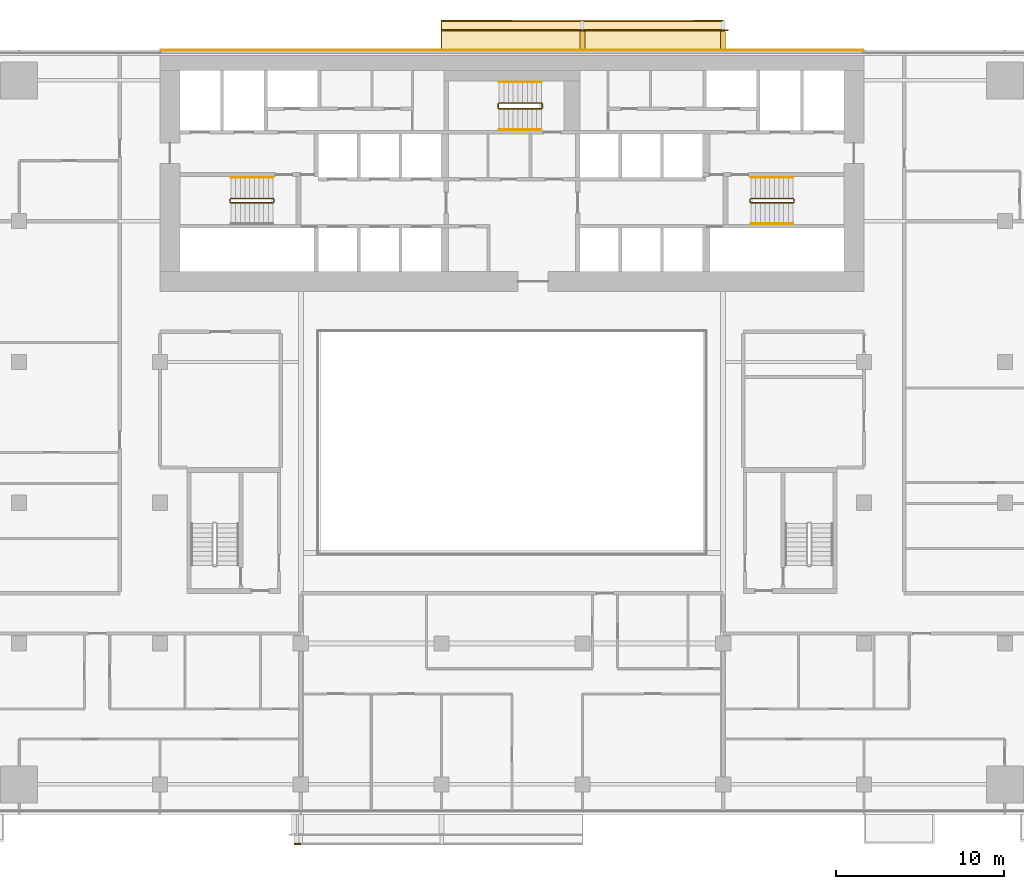
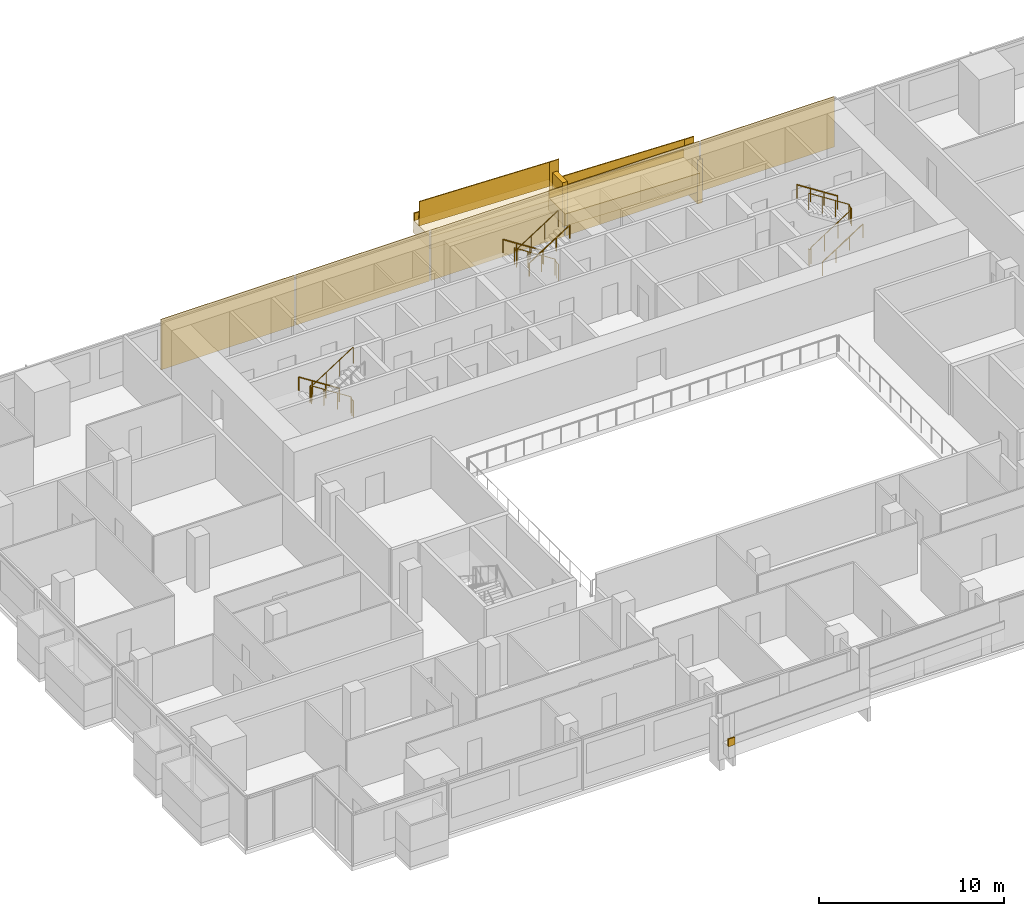
# One storey, part 27 of 27: 12 coverings, 12 railings.
"""IFC4 building model written with IfcOpenShell, lengths in metres."""

from ifc_helpers import new_model, si_unit, direction, frame, origin, origin_2d, place, context, subcontext, project, spatial, polyline, rectangle, circle, outline, extrude, material, layer, layer_set, type_object, element, save


model = new_model("IFC4")

# Units and contexts
model_context = context("Model", 3, precision=1e-05, world=origin(), true_north=direction((0.0, 1.0)))
body_context = subcontext(model_context, "Body", "Model", "MODEL_VIEW")
ifc_project = project(units=[si_unit("LENGTHUNIT", "METRE"), si_unit("AREAUNIT", "SQUARE_METRE"), si_unit("VOLUMEUNIT", "CUBIC_METRE"), si_unit("PLANEANGLEUNIT", "RADIAN"), si_unit("MASSUNIT", "GRAM", prefix="KILO")], contexts=[model_context])

# Site, building, storey
site_placement = place(None, origin())
site = spatial("IfcSite", under=ifc_project, at=site_placement, CompositionType="ELEMENT")
building_placement = place(site_placement, origin())
building = spatial("IfcBuilding", under=site, at=building_placement, Name="Saffron Gate Tower", CompositionType="ELEMENT")
storey_placement = place(building_placement, frame((0.0, 0.0, 40.800048828125)))
storey = spatial("IfcBuildingStorey", under=building, at=storey_placement, Name="L08", CompositionType="ELEMENT", Elevation=40.800048828125)

# Coverings
ifc_material_1 = material(Name="Ceramic-printed bronze insulated panel")
ifc_layer_1 = layer(ifc_material_1, 0.0400390625)
ifc_layer_set_1 = layer_set([ifc_layer_1], Name="CLD1 ceramic-printed cladding panel 40")
covering_type_1 = type_object("IfcCoveringType", Name="CLD1 ceramic-printed cladding panel 40", PredefinedType="CLADDING", material=ifc_layer_set_1)
covering_1_placement = place(storey_placement, origin())
element("IfcCovering", 1, at=covering_1_placement, inside=storey, type_object=covering_type_1, Name="CLADDING ceramic-printed panel", PredefinedType="CLADDING", context=body_context, shape_type="SweptSolid", body=[
    extrude(outline(polyline([(108.56494140625, 75.639892578125), (100.235107421875, 75.639892578125), (100.235107421875, 75.60009765625), (108.56494140625, 75.60009765625), (108.56494140625, 75.639892578125)])), origin(), (0.0, 0.0, 1.0), 3.320068359375),
])
covering_2_placement = place(storey_placement, origin())
element("IfcCovering", 2, at=covering_2_placement, inside=storey, type_object=covering_type_1, Name="CLADDING ceramic-printed panel", PredefinedType="CLADDING", context=body_context, shape_type="SweptSolid", body=[
    extrude(outline(polyline([(100.1650390625, 75.639892578125), (91.8349609375, 75.639892578125), (91.8349609375, 75.60009765625), (100.1650390625, 75.60009765625), (100.1650390625, 75.639892578125)])), origin(), (0.0, 0.0, 1.0), 3.320068359375),
])
covering_3_placement = place(storey_placement, origin())
element("IfcCovering", 3, at=covering_3_placement, inside=storey, type_object=covering_type_1, Name="CLADDING ceramic-printed panel", PredefinedType="CLADDING", context=body_context, shape_type="SweptSolid", body=[
    extrude(outline(polyline([(91.764892578125, 75.639892578125), (83.43505859375, 75.639892578125), (83.43505859375, 75.60009765625), (91.764892578125, 75.60009765625), (91.764892578125, 75.639892578125)])), origin(), (0.0, 0.0, 1.0), 3.320068359375),
])
covering_4_placement = place(storey_placement, origin())
element("IfcCovering", 4, at=covering_4_placement, inside=storey, type_object=covering_type_1, Name="CLADDING ceramic-printed panel", PredefinedType="CLADDING", context=body_context, shape_type="SweptSolid", body=[
    extrude(outline(polyline([(83.364990234375, 75.639892578125), (75.034912109375, 75.639892578125), (75.034912109375, 75.60009765625), (83.364990234375, 75.60009765625), (83.364990234375, 75.639892578125)])), origin(), (0.0, 0.0, 1.0), 3.320068359375),
])
covering_5_placement = place(storey_placement, origin())
element("IfcCovering", 5, at=covering_5_placement, inside=storey, type_object=covering_type_1, Name="CLADDING ceramic-printed panel", PredefinedType="CLADDING", context=body_context, shape_type="SweptSolid", body=[
    extrude(outline(polyline([(74.965087890625, 75.639892578125), (66.635009765625, 75.639892578125), (66.635009765625, 75.60009765625), (74.965087890625, 75.60009765625), (74.965087890625, 75.639892578125)])), origin(), (0.0, 0.0, 1.0), 3.320068359375),
])

# Railings
ifc_material_2 = material(Name="Stainless steel and laminated glass", Category="steel")
railing_type_1 = type_object("IfcRailingType", Name="CR1 Stair guard 1100", PredefinedType="GUARDRAIL", material=ifc_material_2)
railing_1_placement = place(storey_placement, frame((73.39990234375, 66.550048828125, 0.0)))
element("IfcRailing", 6, at=railing_1_placement, inside=storey, type_object=railing_type_1, Name="L08 ST-A stair guard 1", PredefinedType="GUARDRAIL", context=body_context, shape_type="SweptSolid", body=[
    extrude(circle(Radius=0.02392578125, at=origin_2d()), frame((0.0, 0.0, 1.076171875), z_axis=(0.0, 1.0, 0.0), x_axis=(-1.0, 0.0, 0.0)), (0.0, 0.0, 1.0), 0.14990234375),
    extrude(circle(Radius=0.02392578125, at=origin_2d()), frame((0.0, 0.14990234375, 1.076171875), z_axis=(-0.257669022063, 0.258932105505, 0.930892496375), x_axis=(-0.708833529934, -0.705375805398, 0.0)), (0.0, 0.0, 1.0), 0.193359375),
    extrude(circle(Radius=0.02392578125, at=origin_2d()), frame((-0.0498046875, 0.199951171875, 1.255859375), z_axis=(-0.841162588446, 0.0, 0.540782303519), x_axis=(0.0, -1.0, 0.0)), (0.0, 0.0, 1.0), 2.995849609375),
    extrude(circle(Radius=0.02392578125, at=origin_2d()), frame((-2.56982421875, 0.199951171875, 2.8759765625), z_axis=(-0.707106781187, -0.707106781187, 0.0), x_axis=(0.707106781187, -0.707106781187, 0.0)), (0.0, 0.0, 1.0), 0.07080078125),
    extrude(circle(Radius=0.02392578125, at=origin_2d()), frame((-2.619873046875, 0.14990234375, 2.8759765625), z_axis=(0.0, -1.0, 0.0), x_axis=(1.0, 0.0, 0.0)), (0.0, 0.0, 1.0), 0.14990234375),
    extrude(circle(Radius=0.02392578125, at=origin_2d()), frame((-2.619873046875, 0.0, 2.8759765625), z_axis=(0.258847668887, -0.258847668887, 0.930588936439), x_axis=(0.707106781187, 0.707106781187, 0.0)), (0.0, 0.0, 1.0), 0.193359375),
    extrude(circle(Radius=0.02392578125, at=origin_2d()), frame((-2.56982421875, -0.050048828125, 3.05615234375), z_axis=(0.841199657755, 0.0, 0.540724639528), x_axis=(0.0, 1.0, 0.0)), (0.0, 0.0, 1.0), 2.995849609375),
    extrude(circle(Radius=0.02099609375, at=origin_2d()), origin(), (0.0, 0.0, 1.0), 1.052001953125),
    extrude(circle(Radius=0.02099609375, at=origin_2d()), frame((0.0, 0.14990234375, 0.0)), (0.0, 0.0, 1.0), 1.052001953125),
    extrude(circle(Radius=0.02099609375, at=origin_2d()), frame((-0.0498046875, 0.199951171875, 0.179931640625)), (0.0, 0.0, 1.0), 1.052001953125),
    extrude(circle(Radius=0.02099609375, at=origin_2d()), frame((-0.889892578125, 0.199951171875, 0.719970703125)), (0.0, 0.0, 1.0), 1.052001953125),
    extrude(circle(Radius=0.02099609375, at=origin_2d()), frame((-1.729736328125, 0.199951171875, 1.260009765625)), (0.0, 0.0, 1.0), 1.052001953125),
    extrude(circle(Radius=0.02099609375, at=origin_2d()), frame((-2.56982421875, 0.199951171875, 1.800048828125)), (0.0, 0.0, 1.0), 1.052001953125),
    extrude(circle(Radius=0.02099609375, at=origin_2d()), frame((-2.619873046875, 0.14990234375, 1.800048828125)), (0.0, 0.0, 1.0), 1.052001953125),
    extrude(circle(Radius=0.02099609375, at=origin_2d()), frame((-2.619873046875, 0.0, 1.800048828125)), (0.0, 0.0, 1.0), 1.052001953125),
    extrude(circle(Radius=0.02099609375, at=origin_2d()), frame((-2.56982421875, -0.050048828125, 1.97998046875)), (0.0, 0.0, 1.0), 1.052001953125),
    extrude(circle(Radius=0.02099609375, at=origin_2d()), frame((-1.729736328125, -0.050048828125, 2.52001953125)), (0.0, 0.0, 1.0), 1.052001953125),
    extrude(circle(Radius=0.02099609375, at=origin_2d()), frame((-0.889892578125, -0.050048828125, 3.059814453125)), (0.0, 0.0, 1.0), 1.052001953125),
    extrude(circle(Radius=0.02099609375, at=origin_2d()), frame((-0.0498046875, -0.050048828125, 3.599853515625)), (0.0, 0.0, 1.0), 1.052001953125),
])
railing_2_placement = place(storey_placement, frame((101.800048828125, 66.699951171875, 0.0)))
element("IfcRailing", 7, at=railing_2_placement, inside=storey, type_object=railing_type_1, Name="L08 ST-B stair guard 1", PredefinedType="GUARDRAIL", context=body_context, shape_type="SweptSolid", body=[
    extrude(circle(Radius=0.02392578125, at=origin_2d()), frame((0.0, 0.0, 1.076171875), z_axis=(0.0, -1.0, 0.0), x_axis=(1.0, 0.0, 0.0)), (0.0, 0.0, 1.0), 0.14990234375),
    extrude(circle(Radius=0.02392578125, at=origin_2d()), frame((0.0, -0.14990234375, 1.076171875), z_axis=(0.258847668887, -0.258847668887, 0.930588936439), x_axis=(0.707106781187, 0.707106781187, 0.0)), (0.0, 0.0, 1.0), 0.193359375),
    extrude(circle(Radius=0.02392578125, at=origin_2d()), frame((0.050048828125, -0.199951171875, 1.255859375), z_axis=(0.841162588446, 0.0, 0.540782303519), x_axis=(0.0, 1.0, 0.0)), (0.0, 0.0, 1.0), 2.995849609375),
    extrude(circle(Radius=0.02392578125, at=origin_2d()), frame((2.570068359375, -0.199951171875, 2.8759765625), z_axis=(0.705375805398, 0.708833529934, 0.0), x_axis=(-0.708833529934, 0.705375805398, 0.0)), (0.0, 0.0, 1.0), 0.070556640625),
    extrude(circle(Radius=0.02392578125, at=origin_2d()), frame((2.619873046875, -0.14990234375, 2.8759765625), z_axis=(0.0, 1.0, 0.0), x_axis=(-1.0, 0.0, 0.0)), (0.0, 0.0, 1.0), 0.14990234375),
    extrude(circle(Radius=0.02392578125, at=origin_2d()), frame((2.619873046875, 0.0, 2.8759765625), z_axis=(-0.257669022063, 0.258932105505, 0.930892496375), x_axis=(-0.708833529934, -0.705375805398, 0.0)), (0.0, 0.0, 1.0), 0.193359375),
    extrude(circle(Radius=0.02392578125, at=origin_2d()), frame((2.570068359375, 0.050048828125, 3.05615234375), z_axis=(-0.841199657755, 0.0, 0.540724639528), x_axis=(0.0, -1.0, 0.0)), (0.0, 0.0, 1.0), 2.995849609375),
    extrude(circle(Radius=0.02099609375, at=origin_2d()), origin(), (0.0, 0.0, 1.0), 1.052001953125),
    extrude(circle(Radius=0.02099609375, at=origin_2d()), frame((0.0, -0.14990234375, 0.0)), (0.0, 0.0, 1.0), 1.052001953125),
    extrude(circle(Radius=0.02099609375, at=origin_2d()), frame((0.050048828125, -0.199951171875, 0.179931640625)), (0.0, 0.0, 1.0), 1.052001953125),
    extrude(circle(Radius=0.02099609375, at=origin_2d()), frame((0.89013671875, -0.199951171875, 0.719970703125)), (0.0, 0.0, 1.0), 1.052001953125),
    extrude(circle(Radius=0.02099609375, at=origin_2d()), frame((1.72998046875, -0.199951171875, 1.260009765625)), (0.0, 0.0, 1.0), 1.052001953125),
    extrude(circle(Radius=0.02099609375, at=origin_2d()), frame((2.570068359375, -0.199951171875, 1.800048828125)), (0.0, 0.0, 1.0), 1.052001953125),
    extrude(circle(Radius=0.02099609375, at=origin_2d()), frame((2.619873046875, -0.14990234375, 1.800048828125)), (0.0, 0.0, 1.0), 1.052001953125),
    extrude(circle(Radius=0.02099609375, at=origin_2d()), frame((2.619873046875, 0.0, 1.800048828125)), (0.0, 0.0, 1.0), 1.052001953125),
    extrude(circle(Radius=0.02099609375, at=origin_2d()), frame((2.570068359375, 0.050048828125, 1.97998046875)), (0.0, 0.0, 1.0), 1.052001953125),
    extrude(circle(Radius=0.02099609375, at=origin_2d()), frame((1.72998046875, 0.050048828125, 2.52001953125)), (0.0, 0.0, 1.0), 1.052001953125),
    extrude(circle(Radius=0.02099609375, at=origin_2d()), frame((0.89013671875, 0.050048828125, 3.059814453125)), (0.0, 0.0, 1.0), 1.052001953125),
    extrude(circle(Radius=0.02099609375, at=origin_2d()), frame((0.050048828125, 0.050048828125, 3.599853515625)), (0.0, 0.0, 1.0), 1.052001953125),
])
railing_3_placement = place(storey_placement, frame((89.39990234375, 72.14990234375, 0.0)))
element("IfcRailing", 8, at=railing_3_placement, inside=storey, type_object=railing_type_1, Name="L08 ST-C stair guard 1", PredefinedType="GUARDRAIL", context=body_context, shape_type="SweptSolid", body=[
    extrude(circle(Radius=0.02392578125, at=origin_2d()), frame((0.0, 0.0, 1.076171875), z_axis=(0.0, 1.0, 0.0), x_axis=(-1.0, 0.0, 0.0)), (0.0, 0.0, 1.0), 0.25),
    extrude(circle(Radius=0.02392578125, at=origin_2d()), frame((0.0, 0.25, 1.076171875), z_axis=(-0.257669022063, 0.258932105505, 0.930892496375), x_axis=(-0.708833529934, -0.705375805398, 0.0)), (0.0, 0.0, 1.0), 0.193359375),
    extrude(circle(Radius=0.02392578125, at=origin_2d()), frame((-0.0498046875, 0.300048828125, 1.255859375), z_axis=(-0.841162588446, 0.0, 0.540782303519), x_axis=(0.0, -1.0, 0.0)), (0.0, 0.0, 1.0), 2.995849609375),
    extrude(circle(Radius=0.02392578125, at=origin_2d()), frame((-2.56982421875, 0.300048828125, 2.8759765625), z_axis=(-0.707106781187, -0.707106781187, 0.0), x_axis=(0.707106781187, -0.707106781187, 0.0)), (0.0, 0.0, 1.0), 0.07080078125),
    extrude(circle(Radius=0.02392578125, at=origin_2d()), frame((-2.619873046875, 0.25, 2.8759765625), z_axis=(0.0, -1.0, 0.0), x_axis=(1.0, 0.0, 0.0)), (0.0, 0.0, 1.0), 0.25),
    extrude(circle(Radius=0.02392578125, at=origin_2d()), frame((-2.619873046875, 0.0, 2.8759765625), z_axis=(0.258932105505, -0.257669022063, 0.930892496375), x_axis=(0.705375805398, 0.708833529934, 0.0)), (0.0, 0.0, 1.0), 0.193359375),
    extrude(circle(Radius=0.02392578125, at=origin_2d()), frame((-2.56982421875, -0.0498046875, 3.05615234375), z_axis=(0.841199657755, 0.0, 0.540724639528), x_axis=(0.0, 1.0, 0.0)), (0.0, 0.0, 1.0), 2.995849609375),
    extrude(circle(Radius=0.02099609375, at=origin_2d()), origin(), (0.0, 0.0, 1.0), 1.052001953125),
    extrude(circle(Radius=0.02099609375, at=origin_2d()), frame((0.0, 0.25, 0.0)), (0.0, 0.0, 1.0), 1.052001953125),
    extrude(circle(Radius=0.02099609375, at=origin_2d()), frame((-0.0498046875, 0.300048828125, 0.179931640625)), (0.0, 0.0, 1.0), 1.052001953125),
    extrude(circle(Radius=0.02099609375, at=origin_2d()), frame((-0.889892578125, 0.300048828125, 0.719970703125)), (0.0, 0.0, 1.0), 1.052001953125),
    extrude(circle(Radius=0.02099609375, at=origin_2d()), frame((-1.729736328125, 0.300048828125, 1.260009765625)), (0.0, 0.0, 1.0), 1.052001953125),
    extrude(circle(Radius=0.02099609375, at=origin_2d()), frame((-2.56982421875, 0.300048828125, 1.800048828125)), (0.0, 0.0, 1.0), 1.052001953125),
    extrude(circle(Radius=0.02099609375, at=origin_2d()), frame((-2.619873046875, 0.25, 1.800048828125)), (0.0, 0.0, 1.0), 1.052001953125),
    extrude(circle(Radius=0.02099609375, at=origin_2d()), frame((-2.619873046875, 0.0, 1.800048828125)), (0.0, 0.0, 1.0), 1.052001953125),
    extrude(circle(Radius=0.02099609375, at=origin_2d()), frame((-2.56982421875, -0.0498046875, 1.97998046875)), (0.0, 0.0, 1.0), 1.052001953125),
    extrude(circle(Radius=0.02099609375, at=origin_2d()), frame((-1.729736328125, -0.0498046875, 2.52001953125)), (0.0, 0.0, 1.0), 1.052001953125),
    extrude(circle(Radius=0.02099609375, at=origin_2d()), frame((-0.889892578125, -0.0498046875, 3.059814453125)), (0.0, 0.0, 1.0), 1.052001953125),
    extrude(circle(Radius=0.02099609375, at=origin_2d()), frame((-0.0498046875, -0.0498046875, 3.599853515625)), (0.0, 0.0, 1.0), 1.052001953125),
])
ifc_material_3 = material(Name="Stainless steel", Category="steel")
railing_type_2 = type_object("IfcRailingType", Name="CR2 Stair handrail 900", PredefinedType="HANDRAIL", material=ifc_material_3)
railing_4_placement = place(storey_placement, frame((73.35009765625, 68.0, 0.179931640625)))
element("IfcRailing", 9, at=railing_4_placement, inside=storey, type_object=railing_type_2, Name="L08 ST-A stair handrail 1", PredefinedType="HANDRAIL", context=body_context, shape_type="SweptSolid", body=[
    extrude(circle(Radius=0.02392578125, at=origin_2d()), frame((0.0, 0.0, 0.8759765625), z_axis=(-0.841162588446, 0.0, 0.540782303519), x_axis=(0.0, -1.0, 0.0)), (0.0, 0.0, 1.0), 2.995849609375),
    extrude(circle(Radius=0.02099609375, at=origin_2d()), origin(), (0.0, 0.0, 1.0), 0.851806640625),
    extrude(circle(Radius=0.02099609375, at=origin_2d()), frame((-0.840087890625, 0.0, 0.5400390625)), (0.0, 0.0, 1.0), 0.851806640625),
    extrude(circle(Radius=0.02099609375, at=origin_2d()), frame((-1.679931640625, 0.0, 1.080078125)), (0.0, 0.0, 1.0), 0.851806640625),
    extrude(circle(Radius=0.02099609375, at=origin_2d()), frame((-2.52001953125, 0.0, 1.6201171875)), (0.0, 0.0, 1.0), 0.851806640625),
])
railing_5_placement = place(storey_placement, frame((101.85009765625, 65.25, 0.179931640625)))
element("IfcRailing", 10, at=railing_5_placement, inside=storey, type_object=railing_type_2, Name="L08 ST-B stair handrail 1", PredefinedType="HANDRAIL", context=body_context, shape_type="SweptSolid", body=[
    extrude(circle(Radius=0.02392578125, at=origin_2d()), frame((0.0, 0.0, 0.8759765625), z_axis=(0.841162588446, 0.0, 0.540782303519), x_axis=(0.0, 1.0, 0.0)), (0.0, 0.0, 1.0), 2.995849609375),
    extrude(circle(Radius=0.02099609375, at=origin_2d()), origin(), (0.0, 0.0, 1.0), 0.851806640625),
    extrude(circle(Radius=0.02099609375, at=origin_2d()), frame((0.840087890625, 0.0, 0.5400390625)), (0.0, 0.0, 1.0), 0.851806640625),
    extrude(circle(Radius=0.02099609375, at=origin_2d()), frame((1.679931640625, 0.0, 1.080078125)), (0.0, 0.0, 1.0), 0.851806640625),
    extrude(circle(Radius=0.02099609375, at=origin_2d()), frame((2.52001953125, 0.0, 1.6201171875)), (0.0, 0.0, 1.0), 0.851806640625),
])
railing_6_placement = place(storey_placement, frame((104.3701171875, 68.0, 1.97998046875)))
element("IfcRailing", 11, at=railing_6_placement, inside=storey, type_object=railing_type_2, Name="L08 ST-B stair handrail 2", PredefinedType="HANDRAIL", context=body_context, shape_type="SweptSolid", body=[
    extrude(circle(Radius=0.02392578125, at=origin_2d()), frame((0.0, 0.0, 0.8759765625), z_axis=(-0.841199657755, 0.0, 0.540724639528), x_axis=(0.0, -1.0, 0.0)), (0.0, 0.0, 1.0), 2.995849609375),
    extrude(circle(Radius=0.02099609375, at=origin_2d()), origin(), (0.0, 0.0, 1.0), 0.851806640625),
    extrude(circle(Radius=0.02099609375, at=origin_2d()), frame((-0.840087890625, 0.0, 0.5400390625)), (0.0, 0.0, 1.0), 0.851806640625),
    extrude(circle(Radius=0.02099609375, at=origin_2d()), frame((-1.679931640625, 0.0, 1.079833984375)), (0.0, 0.0, 1.0), 0.851806640625),
    extrude(circle(Radius=0.02099609375, at=origin_2d()), frame((-2.52001953125, 0.0, 1.619873046875)), (0.0, 0.0, 1.0), 0.851806640625),
])
railing_7_placement = place(storey_placement, frame((89.35009765625, 73.699951171875, 0.179931640625)))
element("IfcRailing", 12, at=railing_7_placement, inside=storey, type_object=railing_type_2, Name="L08 ST-C stair handrail 1", PredefinedType="HANDRAIL", context=body_context, shape_type="SweptSolid", body=[
    extrude(circle(Radius=0.02392578125, at=origin_2d()), frame((0.0, 0.0, 0.8759765625), z_axis=(-0.841162588446, 0.0, 0.540782303519), x_axis=(0.0, -1.0, 0.0)), (0.0, 0.0, 1.0), 2.995849609375),
    extrude(circle(Radius=0.02099609375, at=origin_2d()), origin(), (0.0, 0.0, 1.0), 0.851806640625),
    extrude(circle(Radius=0.02099609375, at=origin_2d()), frame((-0.840087890625, 0.0, 0.5400390625)), (0.0, 0.0, 1.0), 0.851806640625),
    extrude(circle(Radius=0.02099609375, at=origin_2d()), frame((-1.679931640625, 0.0, 1.080078125)), (0.0, 0.0, 1.0), 0.851806640625),
    extrude(circle(Radius=0.02099609375, at=origin_2d()), frame((-2.52001953125, 0.0, 1.6201171875)), (0.0, 0.0, 1.0), 0.851806640625),
])
railing_8_placement = place(storey_placement, frame((86.830078125, 70.85009765625, 1.97998046875)))
element("IfcRailing", 13, at=railing_8_placement, inside=storey, type_object=railing_type_2, Name="L08 ST-C stair handrail 2", PredefinedType="HANDRAIL", context=body_context, shape_type="SweptSolid", body=[
    extrude(circle(Radius=0.02392578125, at=origin_2d()), frame((0.0, 0.0, 0.8759765625), z_axis=(0.841199657755, 0.0, 0.540724639528), x_axis=(0.0, 1.0, 0.0)), (0.0, 0.0, 1.0), 2.995849609375),
    extrude(circle(Radius=0.02099609375, at=origin_2d()), origin(), (0.0, 0.0, 1.0), 0.851806640625),
    extrude(circle(Radius=0.02099609375, at=origin_2d()), frame((0.840087890625, 0.0, 0.5400390625)), (0.0, 0.0, 1.0), 0.851806640625),
    extrude(circle(Radius=0.02099609375, at=origin_2d()), frame((1.679931640625, 0.0, 1.079833984375)), (0.0, 0.0, 1.0), 0.851806640625),
    extrude(circle(Radius=0.02099609375, at=origin_2d()), frame((2.52001953125, 0.0, 1.619873046875)), (0.0, 0.0, 1.0), 0.851806640625),
])

# Coverings
ifc_material_4 = material(Name="Timber, thermally modified ash", Category="wood")
ifc_layer_2 = layer(ifc_material_4, 0.800048828125)
ifc_layer_set_2 = layer_set([ifc_layer_2], Name="LD1 ledge timber")
covering_type_2 = type_object("IfcCoveringType", Name="LD1 ledge timber", PredefinedType="CLADDING", material=ifc_layer_set_2)
covering_6_placement = place(storey_placement, frame((100.199951171875, 75.60009765625, 1.21484375), z_axis=(0.028791175352, 0.0, 0.999585448184), x_axis=(-0.999585448184, 0.0, 0.028791175352)))
element("IfcCovering", 14, at=covering_6_placement, inside=storey, type_object=covering_type_2, Name="LEDGE", PredefinedType="CLADDING", context=body_context, shape_type="SweptSolid", body=[
    extrude(outline(polyline([(0.0, 0.0), (8.403385982666892, 0.0), (8.403385982666892, -1.7998046875), (0.0, -1.7998046875), (0.0, 0.0)])), origin(), (0.0, 0.0, -1.0), 0.800048828125),
])
covering_7_placement = place(storey_placement, frame((91.800048828125, 75.60009765625, 2.6572265625), z_axis=(0.028790339263, 0.0, 0.999585472266), x_axis=(-0.999585472266, 0.0, 0.028790339263)))
element("IfcCovering", 15, at=covering_7_placement, inside=storey, type_object=covering_type_2, Name="LEDGE", PredefinedType="CLADDING", context=body_context, shape_type="SweptSolid", body=[
    extrude(outline(polyline([(0.0, 0.0), (8.403630022085892, 0.0), (8.403630022085892, -1.7998046875), (0.0, -1.7998046875), (0.0, 0.0)])), origin(), (0.0, 0.0, -1.0), 0.800048828125),
])
ifc_layer_3 = layer(ifc_material_4, 0.080078125)
ifc_layer_set_3 = layer_set([ifc_layer_3], Name="LD2 ledge planter trough")
covering_type_3 = type_object("IfcCoveringType", Name="LD2 ledge planter trough", PredefinedType="CLADDING", material=ifc_layer_set_3)
covering_8_placement = place(storey_placement, frame((74.60009765625, 28.199951171875, 1.146240234375), z_axis=(0.0, -1.0, 0.0), x_axis=(0.999588594726, 0.0, 0.028681724025)))
element("IfcCovering", 16, at=covering_8_placement, inside=storey, type_object=covering_type_3, Name="LEDGE planter trough", PredefinedType="CLADDING", context=body_context, shape_type="SweptSolid", body=[
    extrude(outline(polyline([(0.0, 0.0), (0.40006693339621563, 0.0), (0.4144077954084678, 0.4997942973631708), (0.014340862012252152, 0.49979429736317077), (0.0, 0.0)])), origin(), (0.0, 0.0, -1.0), 0.080078125),
])
covering_9_placement = place(storey_placement, frame((100.199951171875, 77.39990234375, 1.21484375), z_axis=(0.0, 1.0, 0.0), x_axis=(-0.999585448184, 0.0, 0.028791175352)))
element("IfcCovering", 17, at=covering_9_placement, inside=storey, type_object=covering_type_3, Name="LEDGE planter trough", PredefinedType="CLADDING", context=body_context, shape_type="SweptSolid", body=[
    extrude(outline(polyline([(0.0, 0.0), (8.403385982666892, 0.0), (8.417781570342743, 0.49979272409216496), (0.014395587675851172, 0.4997927240921649), (0.0, 0.0)])), origin(), (0.0, 0.0, -1.0), 0.080078125),
])
covering_10_placement = place(storey_placement, frame((91.800048828125, 77.39990234375, 2.6572265625), z_axis=(0.0, 1.0, 0.0), x_axis=(-0.999585472266, 0.0, 0.028790339263)))
element("IfcCovering", 18, at=covering_10_placement, inside=storey, type_object=covering_type_3, Name="LEDGE planter trough", PredefinedType="CLADDING", context=body_context, shape_type="SweptSolid", body=[
    extrude(outline(polyline([(0.0, 0.0), (8.403630022085892, 0.0), (8.418025191717298, 0.4997927361329725), (0.014395169631405694, 0.4997927361329725), (0.0, 0.0)])), origin(), (0.0, 0.0, -1.0), 0.080078125),
])
ifc_layer_4 = layer(ifc_material_4, 0.300048828125)
ifc_layer_set_4 = layer_set([ifc_layer_4], Name="LD3 ledge riser fin")
covering_type_4 = type_object("IfcCoveringType", Name="LD3 ledge riser fin", PredefinedType="CLADDING", material=ifc_layer_set_4)
for number, where, z_axis, x_axis, name in (
    (19, (100.199951171875, 76.159912109375, -0.785400390625), (0.0, 0.0, 1.0), (-1.0, 0.0, 0.0), "LEDGE riser fin"),
    (20, (91.800048828125, 76.159912109375, 0.65673828125), (0.0, 0.0, 1.0), (-1.0, 0.0, 0.0), "LEDGE riser fin"),
):
    element("IfcCovering", number, at=place(storey_placement, frame(where, z_axis=z_axis, x_axis=x_axis)), inside=storey, type_object=covering_type_4, Name=name, PredefinedType="CLADDING", context=body_context, shape_type="SweptSolid", body=[
        extrude(rectangle(XDim=0.300048828125, YDim=1.1201171875, at=origin_2d()), origin(), (0.0, 0.0, 1.0), 2.900390625),
    ])

# Railings
railing_type_3 = type_object("IfcRailingType", Name="LG1 ledge balustrade", PredefinedType="BALUSTRADE", material=ifc_material_4)
railing_9_placement = place(storey_placement, frame((100.199951171875, 76.800048828125, 1.21484375)))
element("IfcRailing", 21, at=railing_9_placement, inside=storey, type_object=railing_type_3, Name="LEDGE BALUSTRADE", PredefinedType="BALUSTRADE", context=body_context, shape_type="SweptSolid", body=[
    extrude(rectangle(XDim=0.06005859375, YDim=1.60009765625, at=origin_2d()), frame((0.0, 0.0, 0.800048828125), z_axis=(-0.999585448184, 0.0, 0.028791175352), x_axis=(0.0, -1.0, 0.0)), (0.0, 0.0, 1.0), 8.4033203125),
])
railing_10_placement = place(storey_placement, frame((100.5, 76.800048828125, 0.014404296875)))
element("IfcRailing", 22, at=railing_10_placement, inside=storey, type_object=railing_type_3, Name="LEDGE BALUSTRADE", PredefinedType="BALUSTRADE", context=body_context, shape_type="SweptSolid", body=[
    extrude(rectangle(XDim=0.06005859375, YDim=2.80029296875, at=origin_2d()), frame((0.0, 0.0, 1.400146484375), z_axis=(-1.0, 0.0, 0.0), x_axis=(0.0, -1.0, 0.0)), (0.0, 0.0, 1.0), 0.60009765625),
])
railing_11_placement = place(storey_placement, frame((91.800048828125, 76.800048828125, 2.6572265625)))
element("IfcRailing", 23, at=railing_11_placement, inside=storey, type_object=railing_type_3, Name="LEDGE BALUSTRADE", PredefinedType="BALUSTRADE", context=body_context, shape_type="SweptSolid", body=[
    extrude(rectangle(XDim=0.06005859375, YDim=1.60009765625, at=origin_2d()), frame((0.0, 0.0, 0.800048828125), z_axis=(-0.999585472266, 0.0, 0.028790339263), x_axis=(0.0, -1.0, 0.0)), (0.0, 0.0, 1.0), 8.403564453125),
])
railing_12_placement = place(storey_placement, frame((92.10009765625, 76.800048828125, 1.456787109375)))
element("IfcRailing", 24, at=railing_12_placement, inside=storey, type_object=railing_type_3, Name="LEDGE BALUSTRADE", PredefinedType="BALUSTRADE", context=body_context, shape_type="SweptSolid", body=[
    extrude(rectangle(XDim=0.06005859375, YDim=2.80029296875, at=origin_2d()), frame((0.0, 0.0, 1.400146484375), z_axis=(-1.0, 0.0, 0.0), x_axis=(0.0, -1.0, 0.0)), (0.0, 0.0, 1.0), 0.60009765625),
])

save(model, "model.ifc")
